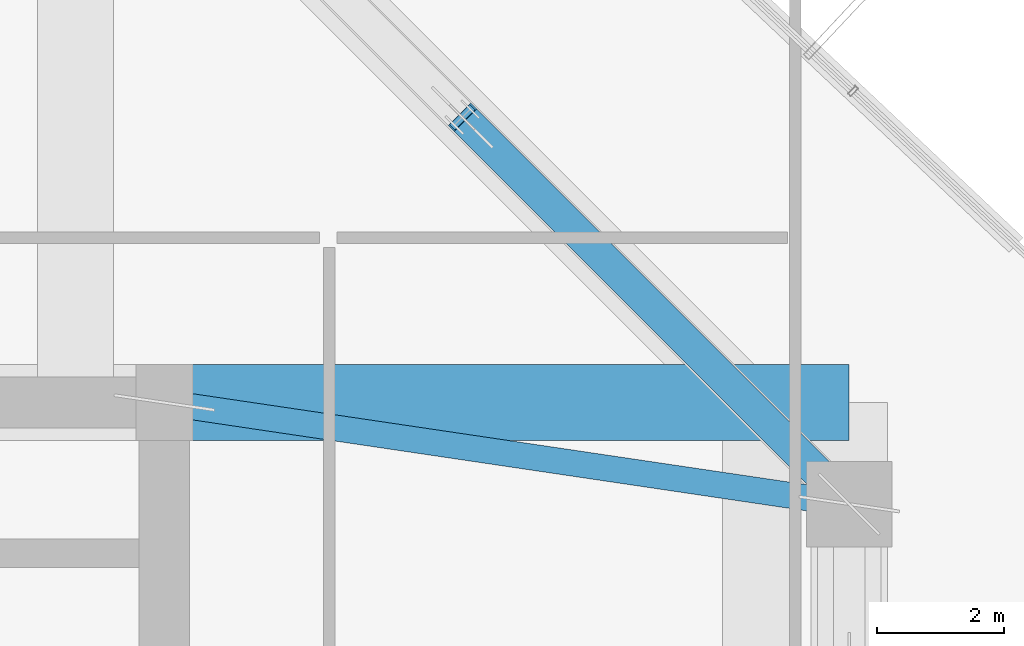
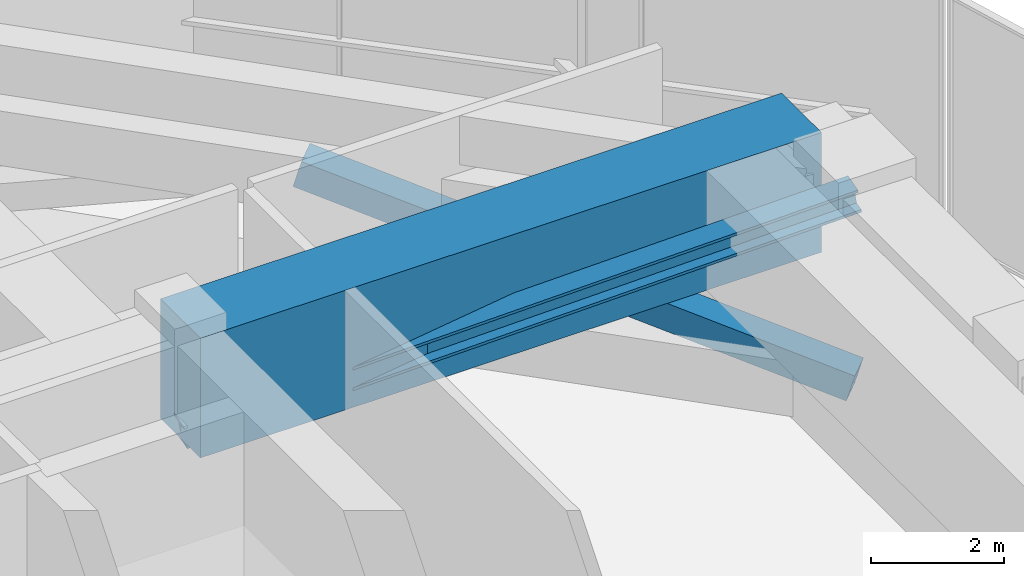
# One storey, part 21 of 41: 2 members, 1 beam.
"""IFC4 building model written with IfcOpenShell, lengths in metres."""

from ifc_helpers import new_model, si_unit, direction, frame, origin, origin_2d, place, context, subcontext, project, spatial, rectangle, hollow_rectangle, i_section, extrude, material, material_profile, profile_set, type_object, element, save


model = new_model("IFC4")

# Units and contexts
model_context = context("Model", 3, precision=1e-05, world=origin(), true_north=direction((0.0, 1.0)))
body_context = subcontext(model_context, "Body", "Model", "MODEL_VIEW")
ifc_project = project(units=[si_unit("LENGTHUNIT", "METRE"), si_unit("AREAUNIT", "SQUARE_METRE"), si_unit("VOLUMEUNIT", "CUBIC_METRE"), si_unit("PLANEANGLEUNIT", "RADIAN"), si_unit("MASSUNIT", "GRAM", prefix="KILO")], contexts=[model_context])

# Site, building, storey
site_placement = place(None, origin())
site = spatial("IfcSite", under=ifc_project, at=site_placement, CompositionType="ELEMENT")
building_placement = place(site_placement, origin())
building = spatial("IfcBuilding", under=site, at=building_placement, Name="Veraguas Prism Commons", CompositionType="ELEMENT")
storey_placement = place(building_placement, frame((0.0, 0.0, 80.35009765625)))
storey = spatial("IfcBuildingStorey", under=building, at=storey_placement, Name="L22", CompositionType="ELEMENT", Elevation=80.35009765625)

# Members
ifc_material_1 = material(Name="Steel ASTM A992 Grade 50", Category="steel")
ifc_material_profile_1 = material_profile(ifc_material_1, i_section(OverallWidth=0.408935546875, OverallDepth=0.425048828125, WebThickness=0.030517578125, FlangeThickness=0.049072265625, at=origin_2d()), Name="W360X421")
ifc_profile_set_1 = profile_set([ifc_material_profile_1], Name="Steel ASTM A992 Grade 50")
member_type_1 = type_object("IfcMemberType", Name="Outrigger Truss Diagonal W360x421", PredefinedType="BRACE", material=ifc_profile_set_1)
member_1_placement = place(storey_placement, frame((30.800048828125, 31.0, 2.419921875), z_axis=(0.979505763607, -0.145120165804, 0.139673177585), x_axis=(0.146556765224, 0.989202261707, 0.0)))
element("IfcMember", 1, at=member_1_placement, inside=storey, type_object=member_type_1, Name="Outrigger Truss Diagonal L22-02", PredefinedType="BRACE", context=body_context, shape_type="SweptSolid", body=[
    extrude(i_section(OverallWidth=0.408935546875, OverallDepth=0.425048828125, WebThickness=0.030517578125, FlangeThickness=0.049072265625, at=origin_2d()), origin(), (0.0, 0.0, 1.0), 11.026123046875),
])
ifc_material_2 = material(Name="Steel ASTM A572 Grade 50", Category="steel")
ifc_material_profile_2 = material_profile(ifc_material_2, hollow_rectangle(XDim=0.5, YDim=0.5, WallThickness=0.02490234375, at=origin_2d()), Name="BOX500X500X25")
ifc_profile_set_2 = profile_set([ifc_material_profile_2], Name="Steel ASTM A572 Grade 50")
member_type_2 = type_object("IfcMemberType", Name="Perimeter Belt Diagonal BOX 500x500x25", PredefinedType="BRACE", material=ifc_profile_set_2)
member_2_placement = place(storey_placement, frame((41.60009765625, 29.39990234375, 0.5498046875), z_axis=(-0.681639462261, 0.681639462261, 0.265961062898), x_axis=(-0.707106781187, -0.707106781187, 0.0)))
element("IfcMember", 2, at=member_2_placement, inside=storey, type_object=member_type_2, Name="Perimeter Belt Truss Brace L22-03A", PredefinedType="BRACE", context=body_context, shape_type="SweptSolid", body=[
    extrude(hollow_rectangle(XDim=0.5, YDim=0.5, WallThickness=0.02490234375, at=origin_2d()), origin(), (0.0, 0.0, 1.0), 8.94921875),
])

# Beam
ifc_material_3 = material(Name="Concrete C50/60", Category="concrete")
ifc_material_profile_3 = material_profile(ifc_material_3, rectangle(XDim=1.199951171875, YDim=2.199951171875, at=origin_2d()), Name="RC1200X2200")
ifc_profile_set_3 = profile_set([ifc_material_profile_3], Name="Concrete C50/60")
beam_type = type_object("IfcBeamType", Name="Podium Transfer Girder RC 1200x2200", PredefinedType="BEAM", material=ifc_profile_set_3)
beam_placement = place(storey_placement, frame((41.60009765625, 31.0, 3.3798828125), z_axis=(-1.0, 0.0, 0.0), x_axis=(0.0, -1.0, 0.0)))
element("IfcBeam", 3, at=beam_placement, inside=storey, type_object=beam_type, Name="Outrigger Transfer Girder L22-XNE", PredefinedType="BEAM", context=body_context, shape_type="SweptSolid", body=[
    extrude(rectangle(XDim=1.199951171875, YDim=2.199951171875, at=origin_2d()), origin(), (0.0, 0.0, 1.0), 10.800048828125),
])

save(model, "model.ifc")
